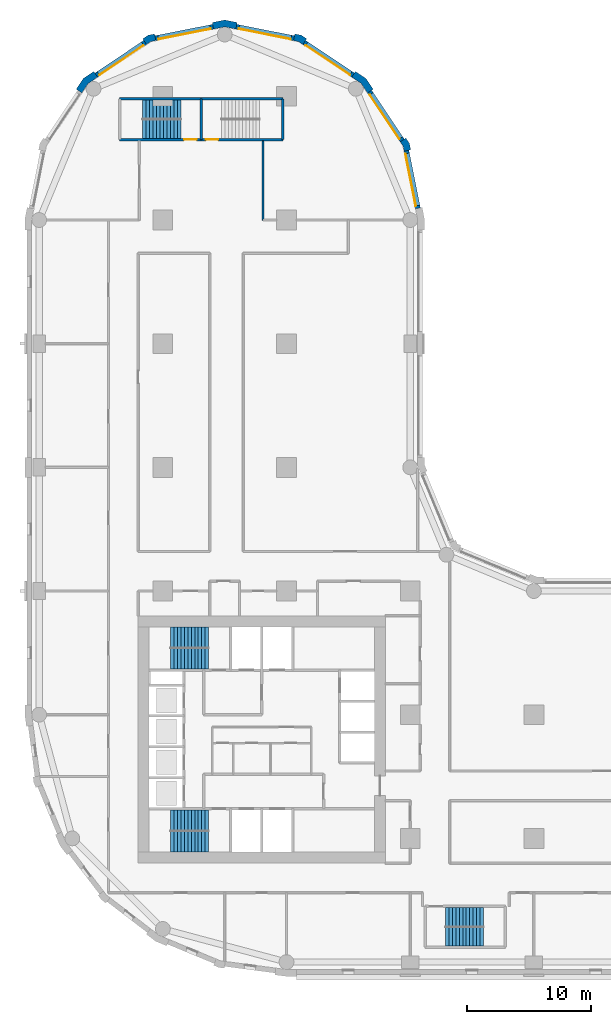
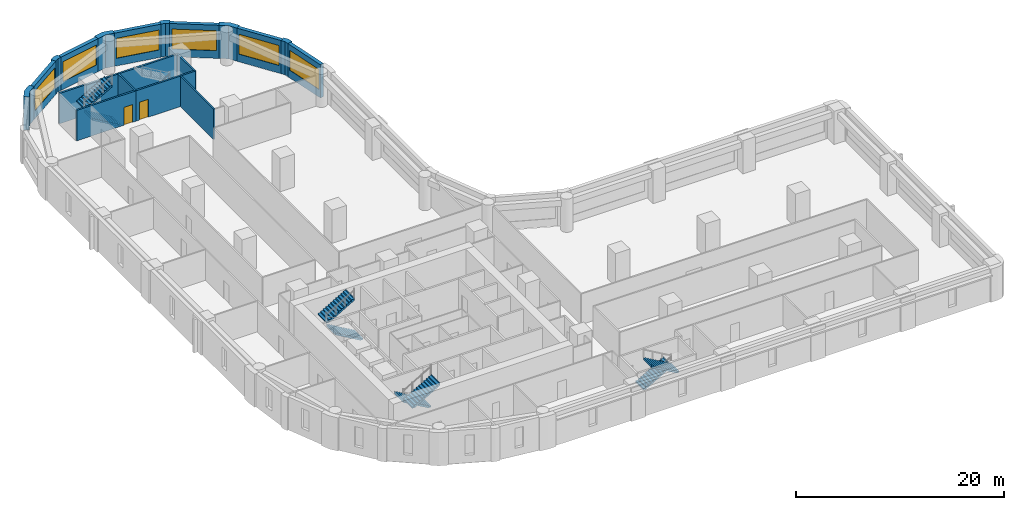
# One storey, part 7 of 10: 19 walls, 8 stair flights, 6 windows, 2 doors, 8 openings, 4 elements without a shape of their own.
"""IFC4 building model written with IfcOpenShell, lengths in metres."""

import ifcopenshell
import ifcopenshell.guid

model = None  # the IFC model being written
_history = None  # IfcOwnerHistory: only IFC2X3 demands one
_inside = {}  # id of a spatial element -> (the spatial element, [elements in it])
_under = {}  # id of a project, library or spatial element -> (it, [spatial elements below it])
_declared = {}  # id of a project -> (the project, [libraries it declares])
_typed = {}  # id of a type object -> (the type object, [elements of that type])
_made_of = {}  # id of a material, layer set ... -> (it, [elements and type objects made of it])


def new_model(schema):
    """Start an empty IFC model of exactly this schema.

    Asked for "IFC4X3", IfcOpenShell would pick the latest addendum, in which some entities
    have other attributes; the version numbers below select the first issue.
    IFC2X3 requires an IfcOwnerHistory on every rooted entity: one is made here for all.
    """
    global model, _history
    if schema == "IFC4X3":
        model = ifcopenshell.file(schema_version=(4, 3, 0, 0))
    else:
        model = ifcopenshell.file(schema=schema)
    _inside.clear()
    _under.clear()
    _declared.clear()
    _typed.clear()
    _made_of.clear()
    _history = None
    if model.schema == "IFC2X3":
        org = make("IfcOrganization", Name="unknown")
        user = make(
            "IfcPersonAndOrganization",
            ThePerson=make("IfcPerson", FamilyName="unknown"),
            TheOrganization=org,
        )
        app = make(
            "IfcApplication",
            ApplicationDeveloper=org,
            Version="unknown",
            ApplicationFullName="unknown",
            ApplicationIdentifier="unknown",
        )
        _history = make(
            "IfcOwnerHistory",
            OwningUser=user,
            OwningApplication=app,
            ChangeAction="ADDED",
            CreationDate=0,
        )
    return model


def make(cls, **values):
    """One entity of the class cls with the attributes given. An attribute that is None is left unset."""
    return model.create_entity(
        cls, **{name: value for name, value in values.items() if value is not None}
    )


def rooted(cls, **values):
    """An entity with a GlobalId (a new one), such as an element, a storey or a relation."""
    return make(cls, GlobalId=ifcopenshell.guid.new(), OwnerHistory=_history, **values)


def si_unit(unit_type, name, prefix=None):
    """IfcSIUnit, for example si_unit("LENGTHUNIT", "METRE", prefix="MILLI")."""
    return make("IfcSIUnit", UnitType=unit_type, Prefix=prefix, Name=name)


def assignment(units):
    """IfcUnitAssignment: the units of a project."""
    return None if units is None else make("IfcUnitAssignment", Units=units)


def point(xyz):
    """IfcCartesianPoint."""
    return None if xyz is None else make("IfcCartesianPoint", Coordinates=xyz)


def direction(xyz):
    """IfcDirection."""
    return None if xyz is None else make("IfcDirection", DirectionRatios=xyz)


def frame(location, z_axis=None, x_axis=None):
    """IfcAxis2Placement3D, a coordinate frame: its origin and axes. An axis left out is left unset."""
    return make(
        "IfcAxis2Placement3D",
        Location=point(location),
        Axis=direction(z_axis),
        RefDirection=direction(x_axis),
    )


def frame_2d(location, x_axis=None):
    """IfcAxis2Placement2D, a coordinate frame in the plane: its origin and x axis."""
    return make(
        "IfcAxis2Placement2D", Location=point(location), RefDirection=direction(x_axis)
    )


def origin():
    """The frame at (0, 0, 0) with its axes left unset."""
    return frame((0.0, 0.0, 0.0))


def place(relative_to, where):
    """IfcLocalPlacement: puts the frame where relative to a parent placement (None: the world)."""
    return make(
        "IfcLocalPlacement", PlacementRelTo=relative_to, RelativePlacement=where
    )


def context(
    kind, dimensions, precision=None, world=None, true_north=None, identifier=None
):
    """IfcGeometricRepresentationContext, for example the 3D "Model" context."""
    return make(
        "IfcGeometricRepresentationContext",
        ContextIdentifier=identifier,
        ContextType=kind,
        CoordinateSpaceDimension=dimensions,
        Precision=precision,
        WorldCoordinateSystem=world,
        TrueNorth=true_north,
    )


def subcontext(parent, identifier, kind, view, scale=None):
    """IfcGeometricRepresentationSubContext, for example "Body" below "Model"."""
    return make(
        "IfcGeometricRepresentationSubContext",
        ContextIdentifier=identifier,
        ContextType=kind,
        ParentContext=parent,
        TargetScale=scale,
        TargetView=view,
    )


def project(units=None, contexts=None):
    """IfcProject with its units and contexts."""
    return rooted(
        "IfcProject",
        Name="project",
        RepresentationContexts=contexts,
        UnitsInContext=assignment(units),
    )


def spatial(cls, under=None, at=None, **own):
    """A site, building, storey or space (cls), placed at a placement, below another one or the project."""
    s = rooted(cls, ObjectPlacement=at, **own)
    if under is not None:
        _under.setdefault(under.id(), (under, []))[1].append(s)
    return s


def polyline(points):
    """IfcPolyline through the points."""
    return make("IfcPolyline", Points=[point(p) for p in points])


def profile(cls, at=None, kind="AREA", **sizes):
    """A parametric profile (cls). Its sizes go by their IFC names, for example OverallWidth=200.0."""
    return make(cls, ProfileType=kind, Position=at, **sizes)


def rectangle(**sizes):
    """IfcRectangleProfileDef."""
    return profile("IfcRectangleProfileDef", **sizes)


def outline(outer, holes=None, kind="AREA"):
    """IfcArbitraryClosedProfileDef: a profile drawn as a closed curve; with holes, ...WithVoids."""
    if holes is None:
        return make("IfcArbitraryClosedProfileDef", ProfileType=kind, OuterCurve=outer)
    return make(
        "IfcArbitraryProfileDefWithVoids",
        ProfileType=kind,
        OuterCurve=outer,
        InnerCurves=holes,
    )


def extrude(swept, where, along, depth):
    """IfcExtrudedAreaSolid: the profile swept, set in the frame where, extruded along a direction by depth."""
    return make(
        "IfcExtrudedAreaSolid",
        SweptArea=swept,
        Position=where,
        ExtrudedDirection=direction(along),
        Depth=depth,
    )


def shape(context_of_items, identifier, shape_type, items):
    """IfcShapeRepresentation: the items that make up one representation, for example the "Body"."""
    return make(
        "IfcShapeRepresentation",
        ContextOfItems=context_of_items,
        RepresentationIdentifier=identifier,
        RepresentationType=shape_type,
        Items=items,
    )


def material(Name=None, Category=None):
    """IfcMaterial."""
    return make("IfcMaterial", Name=Name, Category=Category)


def layer(
    of_material, thickness, ventilated=None, Name=None, Category=None, Priority=None
):
    """IfcMaterialLayer: one layer of a wall or slab, of a material (None: an air gap)."""
    return make(
        "IfcMaterialLayer",
        Material=of_material,
        LayerThickness=thickness,
        IsVentilated=ventilated,
        Name=Name,
        Category=Category,
        Priority=Priority,
    )


def layer_set(layers, Name=None):
    """IfcMaterialLayerSet."""
    return make("IfcMaterialLayerSet", MaterialLayers=layers, LayerSetName=Name)


def made_of(thing, what):
    """Note that an element or type object is made of a material, layer set ...; save() writes the relation."""
    if what is not None:
        _made_of.setdefault(what.id(), (what, []))[1].append(thing)
    return thing


def type_object(cls, material=None, **own):
    """A type object (cls), such as IfcWallType, which elements share."""
    return made_of(rooted(cls, **own), material)


def element(
    cls,
    number,
    at=None,
    inside=None,
    cuts=None,
    type_object=None,
    material=None,
    context=None,
    identifier="Body",
    shape_type=None,
    held_by="IfcProductDefinitionShape",
    body=None,
    shapes=None,
    **own,
):
    """One element of the class cls, such as IfcWall. Its Tag is "e" and its number.

    at: its placement. inside: the storey or other place that contains it. cuts: it is an
    opening in that element (IfcRelVoidsElement). A single representation is given by context,
    identifier, shape_type and body (its items); several are given by shapes. held_by: the class
    of the entity that holds the representations. save() writes the other relations.
    """
    e = rooted(cls, Tag="e%d" % number, ObjectPlacement=at, **own)
    if body is not None:
        shapes = [shape(context, identifier, shape_type, body)]
    if shapes is not None:
        e.Representation = make(held_by, Representations=shapes)
    if inside is not None:
        _inside.setdefault(inside.id(), (inside, []))[1].append(e)
    if cuts is not None:
        rooted(
            "IfcRelVoidsElement", RelatingBuildingElement=cuts, RelatedOpeningElement=e
        )
    if type_object is not None:
        _typed.setdefault(type_object.id(), (type_object, []))[1].append(e)
    return made_of(e, material)


def fill(opening, filler):
    """IfcRelFillsElement: the door or window that sits in an opening."""
    return rooted(
        "IfcRelFillsElement",
        RelatingOpeningElement=opening,
        RelatedBuildingElement=filler,
    )


def aggregate(whole, parts):
    """IfcRelAggregates: a whole, such as a stair, and the parts it consists of."""
    return rooted("IfcRelAggregates", RelatingObject=whole, RelatedObjects=parts)


def save(model, path):
    """Write the relations noted so far, then the file.

    IfcRelAggregates (storeys below a building ...), IfcRelContainedInSpatialStructure (elements
    in a storey), IfcRelDefinesByType, IfcRelAssociatesMaterial and IfcRelDeclares: one each for
    every whole, place, type object, material and project.
    """
    for whole, parts in _under.values():
        aggregate(whole, parts)
    for where, things in _inside.values():
        rooted(
            "IfcRelContainedInSpatialStructure",
            RelatedElements=things,
            RelatingStructure=where,
        )
    for kind, things in _typed.values():
        rooted("IfcRelDefinesByType", RelatedObjects=things, RelatingType=kind)
    for what, things in _made_of.values():
        rooted("IfcRelAssociatesMaterial", RelatedObjects=things, RelatingMaterial=what)
    for by, libraries in _declared.values():
        rooted("IfcRelDeclares", RelatingContext=by, RelatedDefinitions=libraries)
    model.write(path)


model = new_model("IFC4")

# Units and contexts
model_context = context("Model", 3, precision=1e-05, world=origin(), true_north=direction((0.0, 1.0)))
body_context = subcontext(model_context, "Body", "Model", "MODEL_VIEW")
ifc_project = project(units=[si_unit("LENGTHUNIT", "METRE"), si_unit("AREAUNIT", "SQUARE_METRE"), si_unit("VOLUMEUNIT", "CUBIC_METRE"), si_unit("PLANEANGLEUNIT", "RADIAN"), si_unit("MASSUNIT", "GRAM", prefix="KILO")], contexts=[model_context])

# Site, building, storey
site_placement = place(None, origin())
site = spatial("IfcSite", under=ifc_project, at=site_placement, CompositionType="ELEMENT")
building_placement = place(site_placement, origin())
building = spatial("IfcBuilding", under=site, at=building_placement, Name="Qaws Garden Tower", CompositionType="ELEMENT")
storey_placement = place(building_placement, frame((0.0, 0.0, 51.0)))
storey = spatial("IfcBuildingStorey", under=building, at=storey_placement, Name="L12", CompositionType="ELEMENT", Elevation=51.0)

# Wall, opening, window
ifc_material_1 = material(Name="Clay facing brick masonry", Category="masonry")
ifc_layer_1 = layer(ifc_material_1, 0.39990234375)
ifc_layer_set_1 = layer_set([ifc_layer_1], Name="Clay facing brick masonry")
wall_type_1 = type_object("IfcWallType", Name="Brick infill wall 400", PredefinedType="SOLIDWALL", material=ifc_layer_set_1)
wall_1_placement = place(storey_placement, frame((30.628662109375, 60.940673828125, 0.0), z_axis=(0.0, 0.0, 1.0), x_axis=(-0.195098533057, 0.98078364709, 0.0)))
wall_1 = element("IfcWall", 1, at=wall_1_placement, inside=storey, type_object=wall_type_1, Name="E-L12-infill-15", PredefinedType="SOLIDWALL", context=body_context, shape_type="SweptSolid", body=[
    extrude(rectangle(XDim=4.752685546875, YDim=0.39990234375, at=frame_2d((2.37646484375, 0.0))), origin(), (0.0, 0.0, 1.0), 3.89990234375),
])
opening_1_placement = place(wall_1_placement, frame((0.226318359375, 0.0, 0.89990234375)))
opening_1 = element("IfcOpeningElement", 2, at=opening_1_placement, cuts=wall_1, Name="Opening W06", PredefinedType="OPENING", context=body_context, shape_type="SweptSolid", body=[
    extrude(rectangle(XDim=4.300048828125, YDim=2.35009765625, at=frame_2d((2.14990234375, 1.175048828125))), frame((0.0, 0.2099609375, 0.0), z_axis=(0.0, -1.0, 0.0), x_axis=(1.0, 0.0, 0.0)), (0.0, 0.0, 1.0), 0.419921875),
])
ifc_material_2 = material(Name="Aluminium framed window, clear glazing", Category="aluminium")
window_type = type_object("IfcWindowType", Name="Ribbon window 4300 x 2350", PartitioningType="DOUBLE_PANEL_VERTICAL", PredefinedType="WINDOW", material=ifc_material_2)
window_1_placement = place(opening_1_placement, origin())
window_1 = element("IfcWindow", 3, at=window_1_placement, inside=storey, type_object=window_type, Name="E-L12-window-15-0", OverallHeight=2.35009765625, OverallWidth=4.300048828125, PartitioningType="SINGLE_PANEL", PredefinedType="WINDOW", context=body_context, shape_type="SweptSolid", body=[
    extrude(rectangle(XDim=4.300048828125, YDim=2.35009765625, at=frame_2d((2.14990234375, 1.175048828125))), frame((0.0, 0.159912109375, 0.0), z_axis=(0.0, -1.0, 0.0), x_axis=(1.0, 0.0, 0.0)), (0.0, 0.0, 1.0), 0.06005859375),
])
fill(opening_1, window_1)

wall_2_placement = place(storey_placement, frame((29.356689453125, 66.43408203125, 0.0), z_axis=(0.0, 0.0, 1.0), x_axis=(-0.555541552266, 0.831488775454, 0.0)))
wall_2 = element("IfcWall", 4, at=wall_2_placement, inside=storey, type_object=wall_type_1, Name="E-L12-infill-16", PredefinedType="SOLIDWALL", context=body_context, shape_type="SweptSolid", body=[
    extrude(rectangle(XDim=4.752685546875, YDim=0.39990234375, at=frame_2d((2.37646484375, 0.0))), origin(), (0.0, 0.0, 1.0), 3.89990234375),
])
opening_2_placement = place(wall_2_placement, frame((0.226318359375, 0.0, 0.89990234375)))
opening_2 = element("IfcOpeningElement", 5, at=opening_2_placement, cuts=wall_2, Name="Opening W06", PredefinedType="OPENING", context=body_context, shape_type="SweptSolid", body=[
    extrude(rectangle(XDim=4.300048828125, YDim=2.35009765625, at=frame_2d((2.14990234375, 1.175048828125))), frame((0.0, 0.2099609375, 0.0), z_axis=(0.0, -1.0, 0.0), x_axis=(1.0, 0.0, 0.0)), (0.0, 0.0, 1.0), 0.419921875),
])
window_2_placement = place(opening_2_placement, origin())
window_2 = element("IfcWindow", 6, at=window_2_placement, inside=storey, type_object=window_type, Name="E-L12-window-16-0", OverallHeight=2.35009765625, OverallWidth=4.300048828125, PartitioningType="SINGLE_PANEL", PredefinedType="WINDOW", context=body_context, shape_type="SweptSolid", body=[
    extrude(rectangle(XDim=4.300048828125, YDim=2.35009765625, at=frame_2d((2.14990234375, 1.175048828125))), frame((0.0, 0.159912109375, 0.0), z_axis=(0.0, -1.0, 0.0), x_axis=(1.0, 0.0, 0.0)), (0.0, 0.0, 1.0), 0.06005859375),
])
fill(opening_2, window_2)

wall_3_placement = place(storey_placement, frame((25.385986328125, 71.71630859375, 0.0), z_axis=(0.0, 0.0, 1.0), x_axis=(-0.831488775454, 0.555541552266, 0.0)))
wall_3 = element("IfcWall", 7, at=wall_3_placement, inside=storey, type_object=wall_type_1, Name="E-L12-infill-17", PredefinedType="SOLIDWALL", context=body_context, shape_type="SweptSolid", body=[
    extrude(rectangle(XDim=4.752685546875, YDim=0.39990234375, at=frame_2d((2.37646484375, 0.0))), origin(), (0.0, 0.0, 1.0), 3.89990234375),
])
opening_3_placement = place(wall_3_placement, frame((0.226318359375, 0.0, 0.89990234375)))
opening_3 = element("IfcOpeningElement", 8, at=opening_3_placement, cuts=wall_3, Name="Opening W06", PredefinedType="OPENING", context=body_context, shape_type="SweptSolid", body=[
    extrude(rectangle(XDim=4.300048828125, YDim=2.35009765625, at=frame_2d((2.14990234375, 1.175048828125))), frame((0.0, 0.2099609375, 0.0), z_axis=(0.0, -1.0, 0.0), x_axis=(1.0, 0.0, 0.0)), (0.0, 0.0, 1.0), 0.419921875),
])
window_3_placement = place(opening_3_placement, origin())
window_3 = element("IfcWindow", 9, at=window_3_placement, inside=storey, type_object=window_type, Name="E-L12-window-17-0", OverallHeight=2.35009765625, OverallWidth=4.300048828125, PartitioningType="SINGLE_PANEL", PredefinedType="WINDOW", context=body_context, shape_type="SweptSolid", body=[
    extrude(rectangle(XDim=4.300048828125, YDim=2.35009765625, at=frame_2d((2.14990234375, 1.175048828125))), frame((0.0, 0.159912109375, 0.0), z_axis=(0.0, -1.0, 0.0), x_axis=(1.0, 0.0, 0.0)), (0.0, 0.0, 1.0), 0.06005859375),
])
fill(opening_3, window_3)

wall_4_placement = place(storey_placement, frame((20.60205078125, 74.701416015625, 0.0), z_axis=(0.0, 0.0, 1.0), x_axis=(-0.98078364709, 0.195098533057, 0.0)))
wall_4 = element("IfcWall", 10, at=wall_4_placement, inside=storey, type_object=wall_type_1, Name="E-L12-infill-18", PredefinedType="SOLIDWALL", context=body_context, shape_type="SweptSolid", body=[
    extrude(rectangle(XDim=4.752685546875, YDim=0.39990234375, at=frame_2d((2.37646484375, 0.0))), origin(), (0.0, 0.0, 1.0), 3.89990234375),
])
opening_4_placement = place(wall_4_placement, frame((0.226318359375, 0.0, 0.89990234375)))
opening_4 = element("IfcOpeningElement", 11, at=opening_4_placement, cuts=wall_4, Name="Opening W06", PredefinedType="OPENING", context=body_context, shape_type="SweptSolid", body=[
    extrude(rectangle(XDim=4.300048828125, YDim=2.35009765625, at=frame_2d((2.14990234375, 1.175048828125))), frame((0.0, 0.2099609375, 0.0), z_axis=(0.0, -1.0, 0.0), x_axis=(1.0, 0.0, 0.0)), (0.0, 0.0, 1.0), 0.419921875),
])
window_4_placement = place(opening_4_placement, origin())
window_4 = element("IfcWindow", 12, at=window_4_placement, inside=storey, type_object=window_type, Name="E-L12-window-18-0", OverallHeight=2.35009765625, OverallWidth=4.300048828125, PartitioningType="SINGLE_PANEL", PredefinedType="WINDOW", context=body_context, shape_type="SweptSolid", body=[
    extrude(rectangle(XDim=4.300048828125, YDim=2.35009765625, at=frame_2d((2.14990234375, 1.175048828125))), frame((0.0, 0.159912109375, 0.0), z_axis=(0.0, -1.0, 0.0), x_axis=(1.0, 0.0, 0.0)), (0.0, 0.0, 1.0), 0.06005859375),
])
fill(opening_4, window_4)

wall_5_placement = place(storey_placement, frame((14.059326171875, 75.628662109375, 0.0), z_axis=(0.0, 0.0, 1.0), x_axis=(-0.98078364709, -0.195098533057, 0.0)))
wall_5 = element("IfcWall", 13, at=wall_5_placement, inside=storey, type_object=wall_type_1, Name="E-L12-infill-19", PredefinedType="SOLIDWALL", context=body_context, shape_type="SweptSolid", body=[
    extrude(rectangle(XDim=4.752685546875, YDim=0.39990234375, at=frame_2d((2.37646484375, 0.0))), origin(), (0.0, 0.0, 1.0), 3.89990234375),
])
opening_5_placement = place(wall_5_placement, frame((0.226318359375, 0.0, 0.89990234375)))
opening_5 = element("IfcOpeningElement", 14, at=opening_5_placement, cuts=wall_5, Name="Opening W06", PredefinedType="OPENING", context=body_context, shape_type="SweptSolid", body=[
    extrude(rectangle(XDim=4.300048828125, YDim=2.35009765625, at=frame_2d((2.14990234375, 1.175048828125))), frame((0.0, 0.2099609375, 0.0), z_axis=(0.0, -1.0, 0.0), x_axis=(1.0, 0.0, 0.0)), (0.0, 0.0, 1.0), 0.419921875),
])
window_5_placement = place(opening_5_placement, origin())
window_5 = element("IfcWindow", 15, at=window_5_placement, inside=storey, type_object=window_type, Name="E-L12-window-19-0", OverallHeight=2.35009765625, OverallWidth=4.300048828125, PartitioningType="SINGLE_PANEL", PredefinedType="WINDOW", context=body_context, shape_type="SweptSolid", body=[
    extrude(rectangle(XDim=4.300048828125, YDim=2.35009765625, at=frame_2d((2.14990234375, 1.175048828125))), frame((0.0, 0.159912109375, 0.0), z_axis=(0.0, -1.0, 0.0), x_axis=(1.0, 0.0, 0.0)), (0.0, 0.0, 1.0), 0.06005859375),
])
fill(opening_5, window_5)

wall_6_placement = place(storey_placement, frame((8.56591796875, 74.356689453125, 0.0), z_axis=(0.0, 0.0, 1.0), x_axis=(-0.831488775454, -0.555541552266, 0.0)))
wall_6 = element("IfcWall", 16, at=wall_6_placement, inside=storey, type_object=wall_type_1, Name="E-L12-infill-20", PredefinedType="SOLIDWALL", context=body_context, shape_type="SweptSolid", body=[
    extrude(rectangle(XDim=4.752685546875, YDim=0.39990234375, at=frame_2d((2.37646484375, 0.0))), origin(), (0.0, 0.0, 1.0), 3.89990234375),
])
opening_6_placement = place(wall_6_placement, frame((0.226318359375, 0.0, 0.89990234375)))
opening_6 = element("IfcOpeningElement", 17, at=opening_6_placement, cuts=wall_6, Name="Opening W06", PredefinedType="OPENING", context=body_context, shape_type="SweptSolid", body=[
    extrude(rectangle(XDim=4.300048828125, YDim=2.35009765625, at=frame_2d((2.14990234375, 1.175048828125))), frame((0.0, 0.2099609375, 0.0), z_axis=(0.0, -1.0, 0.0), x_axis=(1.0, 0.0, 0.0)), (0.0, 0.0, 1.0), 0.419921875),
])
window_6_placement = place(opening_6_placement, origin())
window_6 = element("IfcWindow", 18, at=window_6_placement, inside=storey, type_object=window_type, Name="E-L12-window-20-0", OverallHeight=2.35009765625, OverallWidth=4.300048828125, PartitioningType="SINGLE_PANEL", PredefinedType="WINDOW", context=body_context, shape_type="SweptSolid", body=[
    extrude(rectangle(XDim=4.300048828125, YDim=2.35009765625, at=frame_2d((2.14990234375, 1.175048828125))), frame((0.0, 0.159912109375, 0.0), z_axis=(0.0, -1.0, 0.0), x_axis=(1.0, 0.0, 0.0)), (0.0, 0.0, 1.0), 0.06005859375),
])
fill(opening_6, window_6)

# Walls
ifc_material_3 = material(Name="Clay facing brick masonry", Category="masonry")
ifc_layer_2 = layer(ifc_material_3, 0.550048828125)
ifc_layer_set_2 = layer_set([ifc_layer_2], Name="Clay facing brick masonry")
wall_type_2 = type_object("IfcWallType", Name="Brick kink pier 550 x 600", PredefinedType="SOLIDWALL", material=ifc_layer_set_2)
placement = place(storey_placement, origin())
element("IfcWall", 19, at=placement, inside=storey, type_object=wall_type_2, Name="E-L12-pier-16", PredefinedType="SOLIDWALL", context=body_context, shape_type="SweptSolid", body=[
    extrude(outline(polyline([(29.8974609375, 65.64111328125), (30.044677734375, 65.67041015625), (29.94140625, 66.18896484375), (29.647705078125, 66.628662109375), (29.52294921875, 66.545166015625), (29.1904296875, 66.322998046875), (29.42333984375, 65.974365234375), (29.505126953125, 65.56298828125), (29.8974609375, 65.64111328125)])), origin(), (0.0, 0.0, 1.0), 3.89990234375),
])
element("IfcWall", 20, at=placement, inside=storey, type_object=wall_type_2, Name="E-L12-pier-18", PredefinedType="SOLIDWALL", context=body_context, shape_type="SweptSolid", body=[
    extrude(outline(polyline([(21.545166015625, 74.52294921875), (21.628662109375, 74.647705078125), (21.18896484375, 74.94140625), (20.67041015625, 75.044677734375), (20.64111328125, 74.8974609375), (20.56298828125, 74.505126953125), (20.974365234375, 74.42333984375), (21.322998046875, 74.1904296875), (21.545166015625, 74.52294921875)])), origin(), (0.0, 0.0, 1.0), 3.89990234375),
])
element("IfcWall", 21, at=placement, inside=storey, type_object=wall_type_2, Name="E-L12-pier-20", PredefinedType="SOLIDWALL", context=body_context, shape_type="SweptSolid", body=[
    extrude(outline(polyline([(9.35888671875, 74.8974609375), (9.32958984375, 75.044677734375), (8.81103515625, 74.94140625), (8.371337890625, 74.647705078125), (8.454833984375, 74.52294921875), (8.677001953125, 74.1904296875), (9.025634765625, 74.42333984375), (9.43701171875, 74.505126953125), (9.35888671875, 74.8974609375)])), origin(), (0.0, 0.0, 1.0), 3.89990234375),
])
ifc_material_4 = material(Name="Clay facing brick masonry", Category="masonry")
ifc_layer_3 = layer(ifc_material_4, 0.550048828125)
ifc_layer_set_3 = layer_set([ifc_layer_3], Name="Clay facing brick masonry")
wall_type_3 = type_object("IfcWallType", Name="Brick pier 550 x 1600", PredefinedType="SOLIDWALL", material=ifc_layer_set_3)
element("IfcWall", 22, at=placement, inside=storey, type_object=wall_type_3, Name="E-L12-pier-17", PredefinedType="SOLIDWALL", context=body_context, shape_type="SweptSolid", body=[
    extrude(outline(polyline([(26.882568359375, 70.4970703125), (27.00732421875, 70.580322265625), (26.435791015625, 71.435791015625), (25.580322265625, 72.00732421875), (25.4970703125, 71.882568359375), (25.274658203125, 71.550048828125), (26.0390625, 71.0390625), (26.550048828125, 70.274658203125), (26.882568359375, 70.4970703125)])), origin(), (0.0, 0.0, 1.0), 3.89990234375),
])
element("IfcWall", 23, at=placement, inside=storey, type_object=wall_type_3, Name="E-L12-pier-19", PredefinedType="SOLIDWALL", context=body_context, shape_type="SweptSolid", body=[
    extrude(outline(polyline([(15.979736328125, 75.82470703125), (16.009033203125, 75.971923828125), (15.0, 76.172607421875), (13.990966796875, 75.971923828125), (14.020263671875, 75.82470703125), (14.098388671875, 75.432373046875), (15.0, 75.61181640625), (15.901611328125, 75.432373046875), (15.979736328125, 75.82470703125)])), origin(), (0.0, 0.0, 1.0), 3.89990234375),
])
element("IfcWall", 24, at=placement, inside=storey, type_object=wall_type_3, Name="E-L12-pier-21", PredefinedType="SOLIDWALL", context=body_context, shape_type="SweptSolid", body=[
    extrude(outline(polyline([(4.5029296875, 71.882568359375), (4.419677734375, 72.00732421875), (3.564208984375, 71.435791015625), (2.99267578125, 70.580322265625), (3.117431640625, 70.4970703125), (3.449951171875, 70.274658203125), (3.9609375, 71.0390625), (4.725341796875, 71.550048828125), (4.5029296875, 71.882568359375)])), origin(), (0.0, 0.0, 1.0), 3.89990234375),
])

# Wall, opening, door
ifc_material_5 = material(Name="Concrete C80", Category="concrete")
ifc_layer_4 = layer(ifc_material_5, 0.199951171875)
ifc_layer_set_4 = layer_set([ifc_layer_4], Name="Concrete C80")
wall_type_4 = type_object("IfcWallType", Name="Core shaft wall 200 C80", PredefinedType="SHEAR", material=ifc_layer_set_4)
wall_13_placement = place(storey_placement, frame((6.5, 66.5, 0.0), z_axis=(0.0, 0.0, 1.0), x_axis=(1.0, 0.0, 0.0)))
wall_13 = element("IfcWall", 25, at=wall_13_placement, inside=storey, type_object=wall_type_4, Name="Shaft wall", PredefinedType="SHEAR", context=body_context, shape_type="SweptSolid", body=[
    extrude(rectangle(XDim=6.60009765625, YDim=0.199951171875, at=frame_2d((3.300048828125, 0.0))), origin(), (0.0, 0.0, 1.0), 3.580078125),
])
opening_7_placement = place(wall_13_placement, frame((5.22509765625, 0.0, 0.0)))
opening_7 = element("IfcOpeningElement", 26, at=opening_7_placement, cuts=wall_13, Name="Opening SD13", PredefinedType="OPENING", context=body_context, shape_type="SweptSolid", body=[
    extrude(rectangle(XDim=1.0, YDim=2.10009765625, at=frame_2d((0.5, 1.050048828125))), frame((0.0, 0.10986328125, 0.0), z_axis=(0.0, -1.0, 0.0), x_axis=(1.0, 0.0, 0.0)), (0.0, 0.0, 1.0), 0.219970703125),
])
ifc_material_6 = material(Name="Steel S235", Category="steel")
door_type = type_object("IfcDoorType", Name="Stair door 1000x2100", OperationType="SINGLE_SWING_RIGHT", PredefinedType="DOOR", material=ifc_material_6)
door_1_placement = place(opening_7_placement, origin())
door_1 = element("IfcDoor", 27, at=door_1_placement, inside=storey, type_object=door_type, Name="Stair 6 door", OperationType="SINGLE_SWING_RIGHT", OverallHeight=2.10009765625, OverallWidth=1.0, PredefinedType="DOOR", context=body_context, shape_type="SweptSolid", body=[
    extrude(rectangle(XDim=1.0, YDim=2.10009765625, at=frame_2d((0.5, 1.050048828125))), frame((0.0, 0.02490234375, 0.0), z_axis=(0.0, -1.0, 0.0), x_axis=(1.0, 0.0, 0.0)), (0.0, 0.0, 1.0), 0.050048828125),
])
fill(opening_7, door_1)

wall_14_placement = place(storey_placement, frame((13.10009765625, 66.5, 0.0), z_axis=(0.0, 0.0, 1.0), x_axis=(1.0, 0.0, 0.0)))
wall_14 = element("IfcWall", 28, at=wall_14_placement, inside=storey, type_object=wall_type_4, Name="Shaft wall", PredefinedType="SHEAR", context=body_context, shape_type="SweptSolid", body=[
    extrude(rectangle(XDim=6.599853515625, YDim=0.199951171875, at=frame_2d((3.2998046875, 0.0))), origin(), (0.0, 0.0, 1.0), 3.580078125),
])
opening_8_placement = place(wall_14_placement, frame((0.375, 0.0, 0.0)))
opening_8 = element("IfcOpeningElement", 29, at=opening_8_placement, cuts=wall_14, Name="Opening SD14", PredefinedType="OPENING", context=body_context, shape_type="SweptSolid", body=[
    extrude(rectangle(XDim=1.0, YDim=2.10009765625, at=frame_2d((0.5, 1.050048828125))), frame((0.0, 0.10986328125, 0.0), z_axis=(0.0, -1.0, 0.0), x_axis=(1.0, 0.0, 0.0)), (0.0, 0.0, 1.0), 0.219970703125),
])
door_2_placement = place(opening_8_placement, origin())
door_2 = element("IfcDoor", 30, at=door_2_placement, inside=storey, type_object=door_type, Name="Stair 7 door", OperationType="SINGLE_SWING_LEFT", OverallHeight=2.10009765625, OverallWidth=1.0, PredefinedType="DOOR", context=body_context, shape_type="SweptSolid", body=[
    extrude(rectangle(XDim=1.0, YDim=2.10009765625, at=frame_2d((0.5, 1.050048828125))), frame((0.0, 0.02490234375, 0.0), z_axis=(0.0, -1.0, 0.0), x_axis=(1.0, 0.0, 0.0)), (0.0, 0.0, 1.0), 0.050048828125),
])
fill(opening_8, door_2)

# Walls
wall_15_placement = place(storey_placement, frame((6.5, 69.800048828125, 0.0), z_axis=(0.0, 0.0, 1.0), x_axis=(1.0, 0.0, 0.0)))
element("IfcWall", 31, at=wall_15_placement, inside=storey, type_object=wall_type_4, Name="Shaft wall", PredefinedType="SHEAR", context=body_context, shape_type="SweptSolid", body=[
    extrude(rectangle(XDim=6.60009765625, YDim=0.199951171875, at=frame_2d((3.300048828125, 0.0))), origin(), (0.0, 0.0, 1.0), 3.580078125),
])
wall_16_placement = place(storey_placement, frame((13.10009765625, 69.800048828125, 0.0), z_axis=(0.0, 0.0, 1.0), x_axis=(1.0, 0.0, 0.0)))
element("IfcWall", 32, at=wall_16_placement, inside=storey, type_object=wall_type_4, Name="Shaft wall", PredefinedType="SHEAR", context=body_context, shape_type="SweptSolid", body=[
    extrude(rectangle(XDim=6.599853515625, YDim=0.199951171875, at=frame_2d((3.2998046875, 0.0))), origin(), (0.0, 0.0, 1.0), 3.580078125),
])
for number, where, z_axis, x_axis, name in (
    (33, (13.10009765625, 66.5, 0.0), (0.0, 0.0, 1.0), (0.0, 1.0, 0.0), "Shaft wall"),
    (34, (19.699951171875, 66.5, 0.0), (0.0, 0.0, 1.0), (0.0, 1.0, 0.0), "Shaft wall"),
):
    element("IfcWall", number, at=place(storey_placement, frame(where, z_axis=z_axis, x_axis=x_axis)), inside=storey, type_object=wall_type_4, Name=name, PredefinedType="SHEAR", context=body_context, shape_type="SweptSolid", body=[
        extrude(rectangle(XDim=3.300048828125, YDim=0.199951171875, at=frame_2d((1.64990234375, 0.0))), origin(), (0.0, 0.0, 1.0), 3.580078125),
    ])
ifc_material_7 = material(Name="Gypsum board partition")
ifc_layer_5 = layer(ifc_material_7, 0.14990234375)
ifc_layer_set_5 = layer_set([ifc_layer_5], Name="Gypsum board partition")
wall_type_5 = type_object("IfcWallType", Name="PARTITION 150 EI 60", PredefinedType="PARTITIONING", material=ifc_layer_set_5)
wall_17_placement = place(storey_placement, frame((18.10009765625, 60.0, 0.0), z_axis=(0.0, 0.0, 1.0), x_axis=(0.0, 1.0, 0.0)))
element("IfcWall", 35, at=wall_17_placement, inside=storey, type_object=wall_type_5, Name="O-L12-wall-010", PredefinedType="PARTITIONING", context=body_context, shape_type="SweptSolid", body=[
    extrude(rectangle(XDim=6.39990234375, YDim=0.14990234375, at=frame_2d((3.199951171875, 0.0))), origin(), (0.0, 0.0, 1.0), 3.580078125),
])

# Stair, stair flights
ifc_material_8 = material(Name="Concrete C40", Category="concrete")
stair_type_1 = type_object("IfcStairType", Name="Exit stair 1350", PredefinedType="HALF_TURN_STAIR", material=ifc_material_8)
stair_1 = element("IfcStair", 36, at=placement, inside=storey, type_object=stair_type_1, Name="Stair 5", PredefinedType="HALF_TURN_STAIR")
ifc_material_9 = material(Name="Concrete C40", Category="concrete")
stair_flight_type_1 = type_object("IfcStairFlightType", Name="Stair flight 1350", PredefinedType="STRAIGHT", material=ifc_material_9)
stair_flight_1_placement = place(storey_placement, frame((32.85009765625, 3.625, 0.0), z_axis=(0.0, 0.0, 1.0), x_axis=(1.0, 0.0, 0.0)))
stair_flight_1 = element("IfcStairFlight", 37, at=stair_flight_1_placement, type_object=stair_flight_type_1, Name="ST5 flight 1", NumberOfRisers=12, NumberOfTreads=11, PredefinedType="STRAIGHT", RiserHeight=0.1625, TreadLength=0.28, context=body_context, shape_type="SweptSolid", body=[
    extrude(outline(polyline([(-0.0029296875, 0.0), (-0.0029296875, 0.16259765625), (0.0, 0.16259765625), (0.280029296875, 0.16259765625), (0.280029296875, 0.324951171875), (0.56005859375, 0.324951171875), (0.56005859375, 0.487548828125), (0.840087890625, 0.487548828125), (0.840087890625, 0.64990234375), (1.1201171875, 0.64990234375), (1.1201171875, 0.8125), (1.39990234375, 0.8125), (1.39990234375, 0.97509765625), (1.679931640625, 0.97509765625), (1.679931640625, 1.137451171875), (1.9599609375, 1.137451171875), (1.9599609375, 1.300048828125), (2.239990234375, 1.300048828125), (2.239990234375, 1.46240234375), (2.52001953125, 1.46240234375), (2.52001953125, 1.625), (2.800048828125, 1.625), (2.800048828125, 1.78759765625), (3.080078125, 1.78759765625), (3.080078125, 1.949951171875), (3.0830078125, 1.949951171875), (3.0830078125, 1.6142578125), (3.080078125, 1.6142578125), (0.298583984375, 0.0), (-0.0029296875, 0.0)])), frame((0.0, 0.77490234375, 0.0), z_axis=(0.0, -1.0, 0.0), x_axis=(1.0, 0.0, 0.0)), (0.0, 0.0, 1.0), 1.550048828125),
])
stair_flight_2_placement = place(storey_placement, frame((35.929931640625, 2.074951171875, 1.949951171875), z_axis=(0.0, 0.0, 1.0), x_axis=(-1.0, 0.0, 0.0)))
stair_flight_2 = element("IfcStairFlight", 38, at=stair_flight_2_placement, type_object=stair_flight_type_1, Name="ST5 flight 2", NumberOfRisers=12, NumberOfTreads=11, PredefinedType="STRAIGHT", RiserHeight=0.1625, TreadLength=0.28, context=body_context, shape_type="SweptSolid", body=[
    extrude(outline(polyline([(-0.0029296875, 0.0), (-0.0029296875, 0.16259765625), (0.0, 0.16259765625), (0.280029296875, 0.16259765625), (0.280029296875, 0.324951171875), (0.56005859375, 0.324951171875), (0.56005859375, 0.487548828125), (0.840087890625, 0.487548828125), (0.840087890625, 0.64990234375), (1.1201171875, 0.64990234375), (1.1201171875, 0.8125), (1.39990234375, 0.8125), (1.39990234375, 0.97509765625), (1.679931640625, 0.97509765625), (1.679931640625, 1.137451171875), (1.9599609375, 1.137451171875), (1.9599609375, 1.300048828125), (2.239990234375, 1.300048828125), (2.239990234375, 1.46240234375), (2.52001953125, 1.46240234375), (2.52001953125, 1.625), (2.800048828125, 1.625), (2.800048828125, 1.78759765625), (3.080078125, 1.78759765625), (3.080078125, 1.949951171875), (3.0830078125, 1.949951171875), (3.0830078125, 1.6142578125), (3.080078125, 1.6142578125), (0.298583984375, 0.0), (-0.0029296875, 0.0)])), frame((0.0, 0.77490234375, 0.0), z_axis=(0.0, -1.0, 0.0), x_axis=(1.0, 0.0, 0.0)), (0.0, 0.0, 1.0), 1.550048828125),
])
aggregate(stair_1, [stair_flight_1, stair_flight_2])

stair_2 = element("IfcStair", 39, at=placement, inside=storey, type_object=stair_type_1, Name="Stair 6", PredefinedType="HALF_TURN_STAIR")
stair_flight_3_placement = place(storey_placement, frame((11.449951171875, 67.375, 0.0), z_axis=(0.0, 0.0, 1.0), x_axis=(-1.0, 0.0, 0.0)))
stair_flight_3 = element("IfcStairFlight", 40, at=stair_flight_3_placement, type_object=stair_flight_type_1, Name="ST6 flight 1", NumberOfRisers=12, NumberOfTreads=11, PredefinedType="STRAIGHT", RiserHeight=0.1625, TreadLength=0.28, context=body_context, shape_type="SweptSolid", body=[
    extrude(outline(polyline([(-0.0029296875, 0.0), (-0.0029296875, 0.16259765625), (0.0, 0.16259765625), (0.280029296875, 0.16259765625), (0.280029296875, 0.324951171875), (0.56005859375, 0.324951171875), (0.56005859375, 0.487548828125), (0.840087890625, 0.487548828125), (0.840087890625, 0.64990234375), (1.1201171875, 0.64990234375), (1.1201171875, 0.8125), (1.39990234375, 0.8125), (1.39990234375, 0.97509765625), (1.679931640625, 0.97509765625), (1.679931640625, 1.137451171875), (1.9599609375, 1.137451171875), (1.9599609375, 1.300048828125), (2.239990234375, 1.300048828125), (2.239990234375, 1.46240234375), (2.52001953125, 1.46240234375), (2.52001953125, 1.625), (2.800048828125, 1.625), (2.800048828125, 1.78759765625), (3.080078125, 1.78759765625), (3.080078125, 1.949951171875), (3.0830078125, 1.949951171875), (3.0830078125, 1.6142578125), (3.080078125, 1.6142578125), (0.298583984375, 0.0), (-0.0029296875, 0.0)])), frame((0.0, 0.77490234375, 0.0), z_axis=(0.0, -1.0, 0.0), x_axis=(1.0, 0.0, 0.0)), (0.0, 0.0, 1.0), 1.550048828125),
])
stair_flight_4_placement = place(storey_placement, frame((8.3701171875, 68.925048828125, 1.949951171875), z_axis=(0.0, 0.0, 1.0), x_axis=(1.0, 0.0, 0.0)))
stair_flight_4 = element("IfcStairFlight", 41, at=stair_flight_4_placement, type_object=stair_flight_type_1, Name="ST6 flight 2", NumberOfRisers=12, NumberOfTreads=11, PredefinedType="STRAIGHT", RiserHeight=0.1625, TreadLength=0.28, context=body_context, shape_type="SweptSolid", body=[
    extrude(outline(polyline([(-0.0029296875, 0.0), (-0.0029296875, 0.16259765625), (0.0, 0.16259765625), (0.280029296875, 0.16259765625), (0.280029296875, 0.324951171875), (0.56005859375, 0.324951171875), (0.56005859375, 0.487548828125), (0.840087890625, 0.487548828125), (0.840087890625, 0.64990234375), (1.1201171875, 0.64990234375), (1.1201171875, 0.8125), (1.39990234375, 0.8125), (1.39990234375, 0.97509765625), (1.679931640625, 0.97509765625), (1.679931640625, 1.137451171875), (1.9599609375, 1.137451171875), (1.9599609375, 1.300048828125), (2.239990234375, 1.300048828125), (2.239990234375, 1.46240234375), (2.52001953125, 1.46240234375), (2.52001953125, 1.625), (2.800048828125, 1.625), (2.800048828125, 1.78759765625), (3.080078125, 1.78759765625), (3.080078125, 1.949951171875), (3.0830078125, 1.949951171875), (3.0830078125, 1.6142578125), (3.080078125, 1.6142578125), (0.298583984375, 0.0), (-0.0029296875, 0.0)])), frame((0.0, 0.77490234375, 0.0), z_axis=(0.0, -1.0, 0.0), x_axis=(1.0, 0.0, 0.0)), (0.0, 0.0, 1.0), 1.550048828125),
])
aggregate(stair_2, [stair_flight_3, stair_flight_4])

ifc_material_10 = material(Name="Concrete C40", Category="concrete")
stair_type_2 = type_object("IfcStairType", Name="Exit stair 1500", PredefinedType="HALF_TURN_STAIR", material=ifc_material_10)
stair_3 = element("IfcStair", 42, at=placement, inside=storey, type_object=stair_type_2, Name="Stair 1", PredefinedType="HALF_TURN_STAIR")
ifc_material_11 = material(Name="Concrete C40", Category="concrete")
stair_flight_type_2 = type_object("IfcStairFlightType", Name="Stair flight 1500", PredefinedType="STRAIGHT", material=ifc_material_11)
stair_flight_5_placement = place(storey_placement, frame((13.699951171875, 11.449951171875, 0.0), z_axis=(0.0, 0.0, 1.0), x_axis=(-1.0, 0.0, 0.0)))
stair_flight_5 = element("IfcStairFlight", 43, at=stair_flight_5_placement, type_object=stair_flight_type_2, Name="ST1 flight 1", NumberOfRisers=12, NumberOfTreads=11, PredefinedType="STRAIGHT", RiserHeight=0.1625, TreadLength=0.28, context=body_context, shape_type="SweptSolid", body=[
    extrude(outline(polyline([(-0.0029296875, 0.0), (-0.0029296875, 0.16259765625), (0.0, 0.16259765625), (0.280029296875, 0.16259765625), (0.280029296875, 0.324951171875), (0.56005859375, 0.324951171875), (0.56005859375, 0.487548828125), (0.840087890625, 0.487548828125), (0.840087890625, 0.64990234375), (1.1201171875, 0.64990234375), (1.1201171875, 0.8125), (1.39990234375, 0.8125), (1.39990234375, 0.97509765625), (1.679931640625, 0.97509765625), (1.679931640625, 1.137451171875), (1.9599609375, 1.137451171875), (1.9599609375, 1.300048828125), (2.239990234375, 1.300048828125), (2.239990234375, 1.46240234375), (2.52001953125, 1.46240234375), (2.52001953125, 1.625), (2.800048828125, 1.625), (2.800048828125, 1.78759765625), (3.080078125, 1.78759765625), (3.080078125, 1.949951171875), (3.0830078125, 1.949951171875), (3.0830078125, 1.6142578125), (3.080078125, 1.6142578125), (0.298583984375, 0.0), (-0.0029296875, 0.0)])), frame((0.0, 0.85009765625, 0.0), z_axis=(0.0, -1.0, 0.0), x_axis=(1.0, 0.0, 0.0)), (0.0, 0.0, 1.0), 1.699951171875),
])
stair_flight_6_placement = place(storey_placement, frame((10.6201171875, 9.75, 1.949951171875), z_axis=(0.0, 0.0, 1.0), x_axis=(1.0, 0.0, 0.0)))
stair_flight_6 = element("IfcStairFlight", 44, at=stair_flight_6_placement, type_object=stair_flight_type_2, Name="ST1 flight 2", NumberOfRisers=12, NumberOfTreads=11, PredefinedType="STRAIGHT", RiserHeight=0.1625, TreadLength=0.28, context=body_context, shape_type="SweptSolid", body=[
    extrude(outline(polyline([(-0.0029296875, 0.0), (-0.0029296875, 0.16259765625), (0.0, 0.16259765625), (0.280029296875, 0.16259765625), (0.280029296875, 0.324951171875), (0.56005859375, 0.324951171875), (0.56005859375, 0.487548828125), (0.840087890625, 0.487548828125), (0.840087890625, 0.64990234375), (1.1201171875, 0.64990234375), (1.1201171875, 0.8125), (1.39990234375, 0.8125), (1.39990234375, 0.97509765625), (1.679931640625, 0.97509765625), (1.679931640625, 1.137451171875), (1.9599609375, 1.137451171875), (1.9599609375, 1.300048828125), (2.239990234375, 1.300048828125), (2.239990234375, 1.46240234375), (2.52001953125, 1.46240234375), (2.52001953125, 1.625), (2.800048828125, 1.625), (2.800048828125, 1.78759765625), (3.080078125, 1.78759765625), (3.080078125, 1.949951171875), (3.0830078125, 1.949951171875), (3.0830078125, 1.6142578125), (3.080078125, 1.6142578125), (0.298583984375, 0.0), (-0.0029296875, 0.0)])), frame((0.0, 0.85009765625, 0.0), z_axis=(0.0, -1.0, 0.0), x_axis=(1.0, 0.0, 0.0)), (0.0, 0.0, 1.0), 1.699951171875),
])
aggregate(stair_3, [stair_flight_5, stair_flight_6])

stair_4 = element("IfcStair", 45, at=placement, inside=storey, type_object=stair_type_2, Name="Stair 4", PredefinedType="HALF_TURN_STAIR")
stair_flight_7_placement = place(storey_placement, frame((13.699951171875, 24.550048828125, 0.0), z_axis=(0.0, 0.0, 1.0), x_axis=(-1.0, 0.0, 0.0)))
stair_flight_7 = element("IfcStairFlight", 46, at=stair_flight_7_placement, type_object=stair_flight_type_2, Name="ST4 flight 1", NumberOfRisers=12, NumberOfTreads=11, PredefinedType="STRAIGHT", RiserHeight=0.1625, TreadLength=0.28, context=body_context, shape_type="SweptSolid", body=[
    extrude(outline(polyline([(-0.0029296875, 0.0), (-0.0029296875, 0.16259765625), (0.0, 0.16259765625), (0.280029296875, 0.16259765625), (0.280029296875, 0.324951171875), (0.56005859375, 0.324951171875), (0.56005859375, 0.487548828125), (0.840087890625, 0.487548828125), (0.840087890625, 0.64990234375), (1.1201171875, 0.64990234375), (1.1201171875, 0.8125), (1.39990234375, 0.8125), (1.39990234375, 0.97509765625), (1.679931640625, 0.97509765625), (1.679931640625, 1.137451171875), (1.9599609375, 1.137451171875), (1.9599609375, 1.300048828125), (2.239990234375, 1.300048828125), (2.239990234375, 1.46240234375), (2.52001953125, 1.46240234375), (2.52001953125, 1.625), (2.800048828125, 1.625), (2.800048828125, 1.78759765625), (3.080078125, 1.78759765625), (3.080078125, 1.949951171875), (3.0830078125, 1.949951171875), (3.0830078125, 1.6142578125), (3.080078125, 1.6142578125), (0.298583984375, 0.0), (-0.0029296875, 0.0)])), frame((0.0, 0.844970703125, 0.0), z_axis=(0.0, -1.0, 0.0), x_axis=(1.0, 0.0, 0.0)), (0.0, 0.0, 1.0), 1.68994140625),
])
stair_flight_8_placement = place(storey_placement, frame((10.6201171875, 26.25, 1.949951171875), z_axis=(0.0, 0.0, 1.0), x_axis=(1.0, 0.0, 0.0)))
stair_flight_8 = element("IfcStairFlight", 47, at=stair_flight_8_placement, type_object=stair_flight_type_2, Name="ST4 flight 2", NumberOfRisers=12, NumberOfTreads=11, PredefinedType="STRAIGHT", RiserHeight=0.1625, TreadLength=0.28, context=body_context, shape_type="SweptSolid", body=[
    extrude(outline(polyline([(-0.0029296875, 0.0), (-0.0029296875, 0.16259765625), (0.0, 0.16259765625), (0.280029296875, 0.16259765625), (0.280029296875, 0.324951171875), (0.56005859375, 0.324951171875), (0.56005859375, 0.487548828125), (0.840087890625, 0.487548828125), (0.840087890625, 0.64990234375), (1.1201171875, 0.64990234375), (1.1201171875, 0.8125), (1.39990234375, 0.8125), (1.39990234375, 0.97509765625), (1.679931640625, 0.97509765625), (1.679931640625, 1.137451171875), (1.9599609375, 1.137451171875), (1.9599609375, 1.300048828125), (2.239990234375, 1.300048828125), (2.239990234375, 1.46240234375), (2.52001953125, 1.46240234375), (2.52001953125, 1.625), (2.800048828125, 1.625), (2.800048828125, 1.78759765625), (3.080078125, 1.78759765625), (3.080078125, 1.949951171875), (3.0830078125, 1.949951171875), (3.0830078125, 1.6142578125), (3.080078125, 1.6142578125), (0.298583984375, 0.0), (-0.0029296875, 0.0)])), frame((0.0, 0.844970703125, 0.0), z_axis=(0.0, -1.0, 0.0), x_axis=(1.0, 0.0, 0.0)), (0.0, 0.0, 1.0), 1.68994140625),
])
aggregate(stair_4, [stair_flight_7, stair_flight_8])

save(model, "model.ifc")
